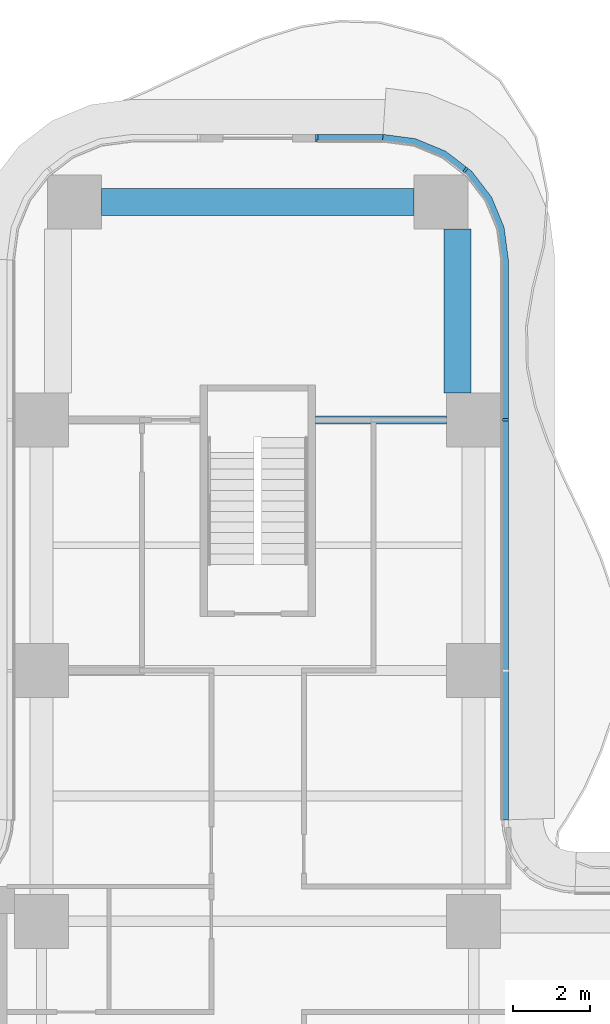
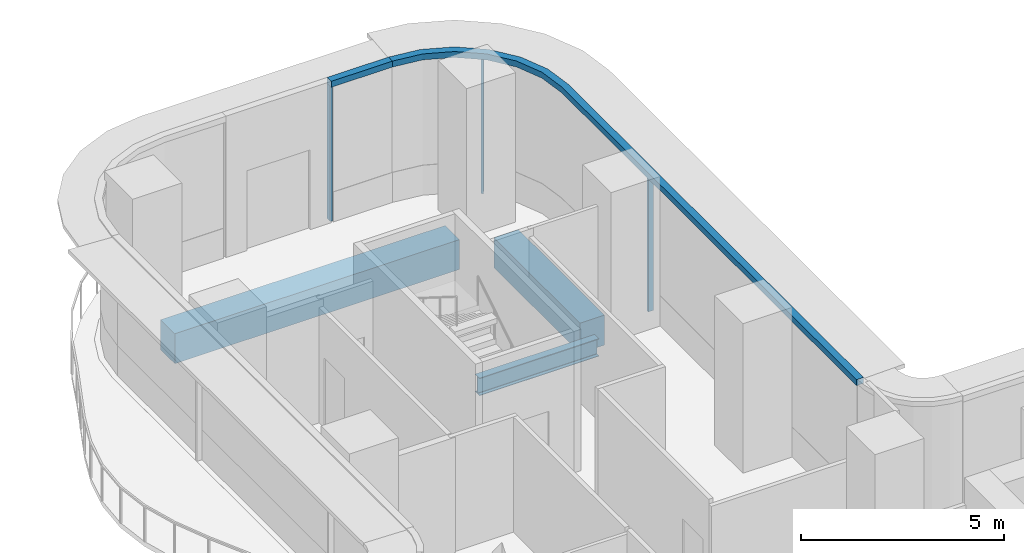
# One storey, part 12 of 22: 5 members, 3 beams, 2 elements without a shape of their own.
"""IFC4 building model written with IfcOpenShell, lengths in metres."""

import ifcopenshell
import ifcopenshell.guid

model = None  # the IFC model being written
_history = None  # IfcOwnerHistory: only IFC2X3 demands one
_inside = {}  # id of a spatial element -> (the spatial element, [elements in it])
_under = {}  # id of a project, library or spatial element -> (it, [spatial elements below it])
_declared = {}  # id of a project -> (the project, [libraries it declares])
_typed = {}  # id of a type object -> (the type object, [elements of that type])
_made_of = {}  # id of a material, layer set ... -> (it, [elements and type objects made of it])


def new_model(schema):
    """Start an empty IFC model of exactly this schema.

    Asked for "IFC4X3", IfcOpenShell would pick the latest addendum, in which some entities
    have other attributes; the version numbers below select the first issue.
    IFC2X3 requires an IfcOwnerHistory on every rooted entity: one is made here for all.
    """
    global model, _history
    if schema == "IFC4X3":
        model = ifcopenshell.file(schema_version=(4, 3, 0, 0))
    else:
        model = ifcopenshell.file(schema=schema)
    _inside.clear()
    _under.clear()
    _declared.clear()
    _typed.clear()
    _made_of.clear()
    _history = None
    if model.schema == "IFC2X3":
        org = make("IfcOrganization", Name="unknown")
        user = make(
            "IfcPersonAndOrganization",
            ThePerson=make("IfcPerson", FamilyName="unknown"),
            TheOrganization=org,
        )
        app = make(
            "IfcApplication",
            ApplicationDeveloper=org,
            Version="unknown",
            ApplicationFullName="unknown",
            ApplicationIdentifier="unknown",
        )
        _history = make(
            "IfcOwnerHistory",
            OwningUser=user,
            OwningApplication=app,
            ChangeAction="ADDED",
            CreationDate=0,
        )
    return model


def make(cls, **values):
    """One entity of the class cls with the attributes given. An attribute that is None is left unset."""
    return model.create_entity(
        cls, **{name: value for name, value in values.items() if value is not None}
    )


def rooted(cls, **values):
    """An entity with a GlobalId (a new one), such as an element, a storey or a relation."""
    return make(cls, GlobalId=ifcopenshell.guid.new(), OwnerHistory=_history, **values)


def si_unit(unit_type, name, prefix=None):
    """IfcSIUnit, for example si_unit("LENGTHUNIT", "METRE", prefix="MILLI")."""
    return make("IfcSIUnit", UnitType=unit_type, Prefix=prefix, Name=name)


def assignment(units):
    """IfcUnitAssignment: the units of a project."""
    return None if units is None else make("IfcUnitAssignment", Units=units)


def point(xyz):
    """IfcCartesianPoint."""
    return None if xyz is None else make("IfcCartesianPoint", Coordinates=xyz)


def direction(xyz):
    """IfcDirection."""
    return None if xyz is None else make("IfcDirection", DirectionRatios=xyz)


def frame(location, z_axis=None, x_axis=None):
    """IfcAxis2Placement3D, a coordinate frame: its origin and axes. An axis left out is left unset."""
    return make(
        "IfcAxis2Placement3D",
        Location=point(location),
        Axis=direction(z_axis),
        RefDirection=direction(x_axis),
    )


def frame_2d(location, x_axis=None):
    """IfcAxis2Placement2D, a coordinate frame in the plane: its origin and x axis."""
    return make(
        "IfcAxis2Placement2D", Location=point(location), RefDirection=direction(x_axis)
    )


def origin():
    """The frame at (0, 0, 0) with its axes left unset."""
    return frame((0.0, 0.0, 0.0))


def origin_2d():
    """The frame at (0, 0) in the plane with its x axis left unset."""
    return frame_2d((0.0, 0.0))


def place(relative_to, where):
    """IfcLocalPlacement: puts the frame where relative to a parent placement (None: the world)."""
    return make(
        "IfcLocalPlacement", PlacementRelTo=relative_to, RelativePlacement=where
    )


def context(
    kind, dimensions, precision=None, world=None, true_north=None, identifier=None
):
    """IfcGeometricRepresentationContext, for example the 3D "Model" context."""
    return make(
        "IfcGeometricRepresentationContext",
        ContextIdentifier=identifier,
        ContextType=kind,
        CoordinateSpaceDimension=dimensions,
        Precision=precision,
        WorldCoordinateSystem=world,
        TrueNorth=true_north,
    )


def subcontext(parent, identifier, kind, view, scale=None):
    """IfcGeometricRepresentationSubContext, for example "Body" below "Model"."""
    return make(
        "IfcGeometricRepresentationSubContext",
        ContextIdentifier=identifier,
        ContextType=kind,
        ParentContext=parent,
        TargetScale=scale,
        TargetView=view,
    )


def project(units=None, contexts=None):
    """IfcProject with its units and contexts."""
    return rooted(
        "IfcProject",
        Name="project",
        RepresentationContexts=contexts,
        UnitsInContext=assignment(units),
    )


def spatial(cls, under=None, at=None, **own):
    """A site, building, storey or space (cls), placed at a placement, below another one or the project."""
    s = rooted(cls, ObjectPlacement=at, **own)
    if under is not None:
        _under.setdefault(under.id(), (under, []))[1].append(s)
    return s


def polyline(points):
    """IfcPolyline through the points."""
    return make("IfcPolyline", Points=[point(p) for p in points])


def profile(cls, at=None, kind="AREA", **sizes):
    """A parametric profile (cls). Its sizes go by their IFC names, for example OverallWidth=200.0."""
    return make(cls, ProfileType=kind, Position=at, **sizes)


def rectangle(**sizes):
    """IfcRectangleProfileDef."""
    return profile("IfcRectangleProfileDef", **sizes)


def i_section(**sizes):
    """IfcIShapeProfileDef."""
    return profile("IfcIShapeProfileDef", **sizes)


def outline(outer, holes=None, kind="AREA"):
    """IfcArbitraryClosedProfileDef: a profile drawn as a closed curve; with holes, ...WithVoids."""
    if holes is None:
        return make("IfcArbitraryClosedProfileDef", ProfileType=kind, OuterCurve=outer)
    return make(
        "IfcArbitraryProfileDefWithVoids",
        ProfileType=kind,
        OuterCurve=outer,
        InnerCurves=holes,
    )


def extrude(swept, where, along, depth):
    """IfcExtrudedAreaSolid: the profile swept, set in the frame where, extruded along a direction by depth."""
    return make(
        "IfcExtrudedAreaSolid",
        SweptArea=swept,
        Position=where,
        ExtrudedDirection=direction(along),
        Depth=depth,
    )


def shape(context_of_items, identifier, shape_type, items):
    """IfcShapeRepresentation: the items that make up one representation, for example the "Body"."""
    return make(
        "IfcShapeRepresentation",
        ContextOfItems=context_of_items,
        RepresentationIdentifier=identifier,
        RepresentationType=shape_type,
        Items=items,
    )


def source(mapping_origin, context_of_items, identifier, shape_type, items):
    """IfcRepresentationMap: a shape defined once, which mapped items show again and again."""
    return make(
        "IfcRepresentationMap",
        MappingOrigin=mapping_origin,
        MappedRepresentation=shape(context_of_items, identifier, shape_type, items),
    )


def transform(
    local_origin,
    x_axis=None,
    y_axis=None,
    z_axis=None,
    scale=None,
    scale2=None,
    scale3=None,
    uniform=True,
):
    """IfcCartesianTransformationOperator3D, or its non-uniform kind. x_axis, y_axis, z_axis: its Axis1, 2, 3."""
    if uniform:
        return make(
            "IfcCartesianTransformationOperator3D",
            Axis1=direction(x_axis),
            Axis2=direction(y_axis),
            LocalOrigin=point(local_origin),
            Scale=scale,
            Axis3=direction(z_axis),
        )
    return make(
        "IfcCartesianTransformationOperator3DnonUniform",
        Axis1=direction(x_axis),
        Axis2=direction(y_axis),
        LocalOrigin=point(local_origin),
        Scale=scale,
        Axis3=direction(z_axis),
        Scale2=scale2,
        Scale3=scale3,
    )


def mapped(mapping_source, mapping_target):
    """IfcMappedItem: shows the shape of a source again, moved by a transform."""
    return make(
        "IfcMappedItem", MappingSource=mapping_source, MappingTarget=mapping_target
    )


def material(Name=None, Category=None):
    """IfcMaterial."""
    return make("IfcMaterial", Name=Name, Category=Category)


def layer(
    of_material, thickness, ventilated=None, Name=None, Category=None, Priority=None
):
    """IfcMaterialLayer: one layer of a wall or slab, of a material (None: an air gap)."""
    return make(
        "IfcMaterialLayer",
        Material=of_material,
        LayerThickness=thickness,
        IsVentilated=ventilated,
        Name=Name,
        Category=Category,
        Priority=Priority,
    )


def layer_set(layers, Name=None):
    """IfcMaterialLayerSet."""
    return make("IfcMaterialLayerSet", MaterialLayers=layers, LayerSetName=Name)


def material_profile(
    of_material, cross_section, Name=None, Category=None, Priority=None
):
    """IfcMaterialProfile: a cross section and its material."""
    return make(
        "IfcMaterialProfile",
        Name=Name,
        Material=of_material,
        Profile=cross_section,
        Priority=Priority,
        Category=Category,
    )


def profile_set(profiles, Name=None, composite=None):
    """IfcMaterialProfileSet."""
    return make(
        "IfcMaterialProfileSet",
        Name=Name,
        MaterialProfiles=profiles,
        CompositeProfile=composite,
    )


def made_of(thing, what):
    """Note that an element or type object is made of a material, layer set ...; save() writes the relation."""
    if what is not None:
        _made_of.setdefault(what.id(), (what, []))[1].append(thing)
    return thing


def type_object(cls, material=None, **own):
    """A type object (cls), such as IfcWallType, which elements share."""
    return made_of(rooted(cls, **own), material)


def element(
    cls,
    number,
    at=None,
    inside=None,
    cuts=None,
    type_object=None,
    material=None,
    context=None,
    identifier="Body",
    shape_type=None,
    held_by="IfcProductDefinitionShape",
    body=None,
    shapes=None,
    **own,
):
    """One element of the class cls, such as IfcWall. Its Tag is "e" and its number.

    at: its placement. inside: the storey or other place that contains it. cuts: it is an
    opening in that element (IfcRelVoidsElement). A single representation is given by context,
    identifier, shape_type and body (its items); several are given by shapes. held_by: the class
    of the entity that holds the representations. save() writes the other relations.
    """
    e = rooted(cls, Tag="e%d" % number, ObjectPlacement=at, **own)
    if body is not None:
        shapes = [shape(context, identifier, shape_type, body)]
    if shapes is not None:
        e.Representation = make(held_by, Representations=shapes)
    if inside is not None:
        _inside.setdefault(inside.id(), (inside, []))[1].append(e)
    if cuts is not None:
        rooted(
            "IfcRelVoidsElement", RelatingBuildingElement=cuts, RelatedOpeningElement=e
        )
    if type_object is not None:
        _typed.setdefault(type_object.id(), (type_object, []))[1].append(e)
    return made_of(e, material)


def aggregate(whole, parts):
    """IfcRelAggregates: a whole, such as a stair, and the parts it consists of."""
    return rooted("IfcRelAggregates", RelatingObject=whole, RelatedObjects=parts)


def save(model, path):
    """Write the relations noted so far, then the file.

    IfcRelAggregates (storeys below a building ...), IfcRelContainedInSpatialStructure (elements
    in a storey), IfcRelDefinesByType, IfcRelAssociatesMaterial and IfcRelDeclares: one each for
    every whole, place, type object, material and project.
    """
    for whole, parts in _under.values():
        aggregate(whole, parts)
    for where, things in _inside.values():
        rooted(
            "IfcRelContainedInSpatialStructure",
            RelatedElements=things,
            RelatingStructure=where,
        )
    for kind, things in _typed.values():
        rooted("IfcRelDefinesByType", RelatedObjects=things, RelatingType=kind)
    for what, things in _made_of.values():
        rooted("IfcRelAssociatesMaterial", RelatedObjects=things, RelatingMaterial=what)
    for by, libraries in _declared.values():
        rooted("IfcRelDeclares", RelatingContext=by, RelatedDefinitions=libraries)
    model.write(path)


model = new_model("IFC4")

# Units and contexts
model_context = context("Model", 3, precision=1e-05, world=origin(), true_north=direction((0.0, 1.0)))
body_context = subcontext(model_context, "Body", "Model", "MODEL_VIEW")
ifc_project = project(units=[si_unit("LENGTHUNIT", "METRE"), si_unit("AREAUNIT", "SQUARE_METRE"), si_unit("VOLUMEUNIT", "CUBIC_METRE"), si_unit("PLANEANGLEUNIT", "RADIAN"), si_unit("MASSUNIT", "GRAM", prefix="KILO")], contexts=[model_context])

# Site, building, storey
site_placement = place(None, origin())
site = spatial("IfcSite", under=ifc_project, at=site_placement, CompositionType="ELEMENT")
building_placement = place(site_placement, origin())
building = spatial("IfcBuilding", under=site, at=building_placement, Name="Trellis Farm Tower", CompositionType="ELEMENT")
storey_placement = place(building_placement, frame((0.0, 0.0, 70.0)))
storey = spatial("IfcBuildingStorey", under=building, at=storey_placement, Name="L14", CompositionType="ELEMENT", Elevation=70.0)

# Beams
ifc_material_1 = material(Name="Steel S355", Category="steel")
ifc_material_profile_1 = material_profile(ifc_material_1, i_section(OverallWidth=0.209228515625, OverallDepth=0.533203125, WebThickness=0.010009765625, FlangeThickness=0.015625, FilletRadius=0.0126953125, at=origin_2d()), Name="UB 533x210x92")
ifc_profile_set_1 = profile_set([ifc_material_profile_1], Name="Steel S355")
beam_type_1 = type_object("IfcBeamType", Name="UB 533x210x92", PredefinedType="BEAM", material=ifc_profile_set_1)
shared_shape_1 = source(origin(), body_context, "Body", "SweptSolid", [
    extrude(i_section(OverallWidth=0.209228515625, OverallDepth=0.533203125, WebThickness=0.010009765625, FlangeThickness=0.015625, FilletRadius=0.0126953125, at=origin_2d()), origin(), (0.0, 0.0, 1.0), 3.39990234375),
])
beam_1_placement = place(storey_placement, frame((1.5, 18.60009765625, -0.5166015625), z_axis=(1.0, 0.0, 0.0), x_axis=(0.0, 1.0, 0.0)))
element("IfcBeam", 1, at=beam_1_placement, inside=storey, type_object=beam_type_1, Name="Girder", PredefinedType="BEAM", context=body_context, shape_type="MappedRepresentation", body=[
    mapped(shared_shape_1, transform((0.0, 0.0, 0.0))),
])
ifc_material_2 = material(Name="Concrete C60/75", Category="concrete")
ifc_material_profile_2 = material_profile(ifc_material_2, rectangle(XDim=0.699951171875, YDim=0.89990234375, at=origin_2d()), Name="RC spandrel beam 700x900 C60/75")
ifc_profile_set_2 = profile_set([ifc_material_profile_2], Name="Concrete C60/75")
beam_type_2 = type_object("IfcBeamType", Name="RC spandrel beam 700x900 C60/75", PredefinedType="SPANDREL", material=ifc_profile_set_2)
shared_shape_2 = source(origin(), body_context, "Body", "SweptSolid", [
    extrude(rectangle(XDim=0.699951171875, YDim=0.89990234375, at=origin_2d()), origin(), (0.0, 0.0, 1.0), 4.25),
])
beam_2_placement = place(storey_placement, frame((5.175048828125, 19.300048828125, -0.699951171875), z_axis=(0.0, 1.0, 0.0), x_axis=(-1.0, 0.0, 0.0)))
element("IfcBeam", 2, at=beam_2_placement, inside=storey, type_object=beam_type_2, Name="Girder", PredefinedType="SPANDREL", context=body_context, shape_type="MappedRepresentation", body=[
    mapped(shared_shape_2, transform((0.0, 0.0, 0.0))),
])
shared_shape_3 = source(origin(), body_context, "Body", "SweptSolid", [
    extrude(rectangle(XDim=0.699951171875, YDim=0.89990234375, at=origin_2d()), origin(), (0.0, 0.0, 1.0), 8.10009765625),
])
beam_3_placement = place(storey_placement, frame((-4.050048828125, 24.25, -0.699951171875), z_axis=(1.0, 0.0, 0.0), x_axis=(0.0, 1.0, 0.0)))
element("IfcBeam", 3, at=beam_3_placement, inside=storey, type_object=beam_type_2, Name="Girder", PredefinedType="SPANDREL", context=body_context, shape_type="MappedRepresentation", body=[
    mapped(shared_shape_3, transform((0.0, 0.0, 0.0))),
])

# Curtain wall, members
ifc_material_3 = material(Name="Aluminium and glass curtain wall", Category="aluminium")
ifc_layer_1 = layer(ifc_material_3, 0.18994140625)
ifc_layer_set_1 = layer_set([ifc_layer_1], Name="RIBBON CURTAIN WALL CW1")
curtain_wall_type = type_object("IfcCurtainWallType", Name="RIBBON CURTAIN WALL CW1", PredefinedType="NOTDEFINED", material=ifc_layer_set_1)
placement_1 = place(storey_placement, origin())
curtain_wall_1 = element("IfcCurtainWall", 4, at=placement_1, inside=storey, type_object=curtain_wall_type, Name="CW1 009", PredefinedType="NOTDEFINED")
ifc_material_4 = material(Name="Aluminium extrusion 6063-T6", Category="aluminium")
ifc_material_profile_3 = material_profile(ifc_material_4, rectangle(XDim=0.06005859375, YDim=0.14990234375, at=origin_2d()), Name="MULLION 60x150")
ifc_profile_set_3 = profile_set([ifc_material_profile_3], Name="Aluminium extrusion 6063-T6")
member_type_1 = type_object("IfcMemberType", Name="CW1 MULLION 60x150", PredefinedType="MULLION", material=ifc_profile_set_3)
shared_shape_4 = source(origin(), body_context, "Body", "SweptSolid", [
    extrude(rectangle(XDim=0.06005859375, YDim=0.14990234375, at=origin_2d()), origin(), (0.0, 0.0, 1.0), 4.070068359375),
])
member_1_placement = place(storey_placement, frame((6.425048828125, 18.60009765625, 0.0), z_axis=(0.0, 0.0, 1.0), x_axis=(0.0, 1.0, 0.0)))
member_1 = element("IfcMember", 5, at=member_1_placement, type_object=member_type_1, Name="MU1 009-02", PredefinedType="MULLION", context=body_context, shape_type="MappedRepresentation", body=[
    mapped(shared_shape_4, transform((0.0, 0.0, 0.0))),
])
member_2_placement = place(storey_placement, frame((5.385498046875, 25.078369140625, 0.0), z_axis=(0.0, 0.0, 1.0), x_axis=(-0.793353340291, 0.608761429009, 0.0)))
member_2 = element("IfcMember", 6, at=member_2_placement, type_object=member_type_1, Name="MU1 009-03", PredefinedType="MULLION", context=body_context, shape_type="MappedRepresentation", body=[
    mapped(shared_shape_4, transform((0.0, 0.0, 0.0))),
])

# Curtain wall, member
curtain_wall_2 = element("IfcCurtainWall", 7, at=placement_1, inside=storey, type_object=curtain_wall_type, Name="CW1 010", PredefinedType="NOTDEFINED")
member_3_placement = place(storey_placement, frame((1.530029296875, 25.925048828125, 0.0), z_axis=(0.0, 0.0, 1.0), x_axis=(-1.0, 0.0, 0.0)))
member_3 = element("IfcMember", 8, at=member_3_placement, type_object=member_type_1, Name="MU1 010-01", PredefinedType="MULLION", context=body_context, shape_type="MappedRepresentation", body=[
    mapped(shared_shape_4, transform((0.0, 0.0, 0.0))),
])

# Member
ifc_layer_2 = layer(ifc_material_4, 0.199951171875)
ifc_layer_set_2 = layer_set([ifc_layer_2], Name="Aluminium extrusion 6063-T6")
member_type_2 = type_object("IfcMemberType", Name="CW1 TRANSOM 200x180", PredefinedType="USERDEFINED", material=ifc_layer_set_2)
shared_shape_5 = source(origin(), body_context, "Body", "SweptSolid", [
    extrude(outline(polyline([(6.5, 8.2314453125), (6.5, 22.75), (6.38916015625, 23.591064453125), (6.064697265625, 24.375), (5.548095703125, 25.048095703125), (4.875, 25.564697265625), (4.091064453125, 25.88916015625), (3.25, 26.0), (3.23681640625, 25.800048828125), (4.0390625, 25.6943359375), (4.774169921875, 25.389892578125), (5.405517578125, 24.905517578125), (5.889892578125, 24.274169921875), (6.1943359375, 23.5390625), (6.300048828125, 22.73681640625), (6.300048828125, 8.224853515625), (6.5, 8.2314453125)])), origin(), (0.0, 0.0, 1.0), 0.179931640625),
])
placement_2 = place(storey_placement, frame((0.0, 0.0, 4.070068359375)))
member_4 = element("IfcMember", 9, at=placement_2, type_object=member_type_2, Name="TR1 009", ObjectType="TRANSOM", PredefinedType="USERDEFINED", context=body_context, shape_type="MappedRepresentation", body=[
    mapped(shared_shape_5, transform((0.0, 0.0, 0.0))),
])

aggregate(curtain_wall_1, [member_1, member_2, member_4])

shared_shape_6 = source(origin(), body_context, "Body", "SweptSolid", [
    extrude(outline(polyline([(3.25, 26.0), (1.5, 26.0), (1.5, 25.800048828125), (3.23681640625, 25.800048828125), (3.25, 26.0)])), origin(), (0.0, 0.0, 1.0), 0.179931640625),
])
member_5 = element("IfcMember", 10, at=placement_2, type_object=member_type_2, Name="TR1 010", ObjectType="TRANSOM", PredefinedType="USERDEFINED", context=body_context, shape_type="MappedRepresentation", body=[
    mapped(shared_shape_6, transform((0.0, 0.0, 0.0))),
])

aggregate(curtain_wall_2, [member_3, member_5])

save(model, "model.ifc")
